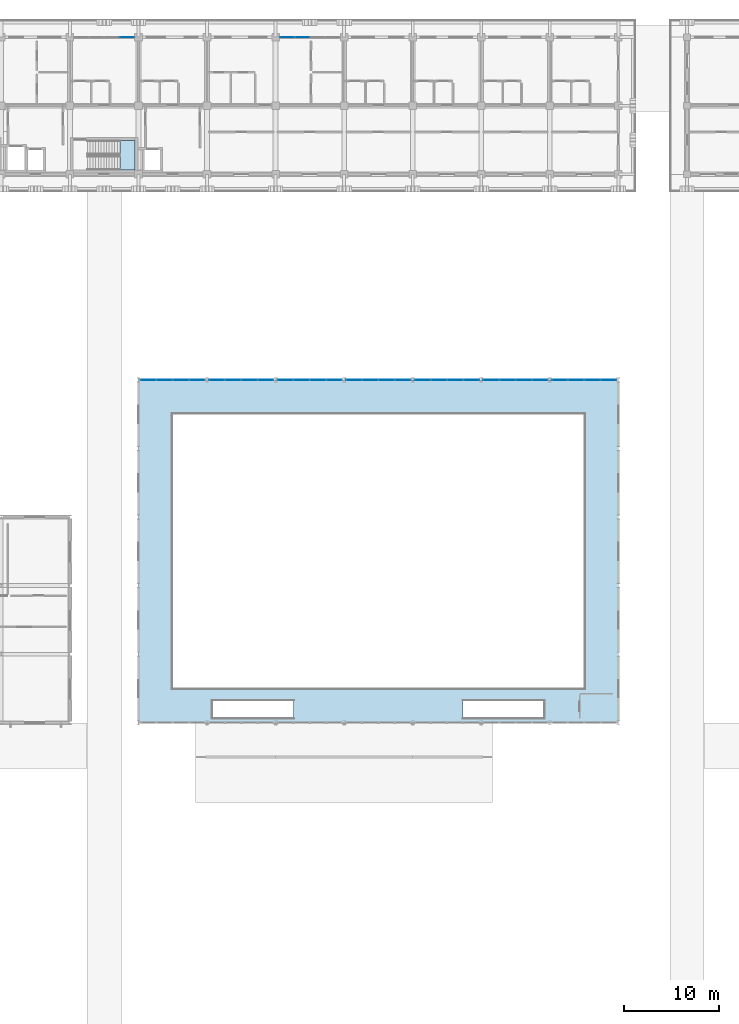
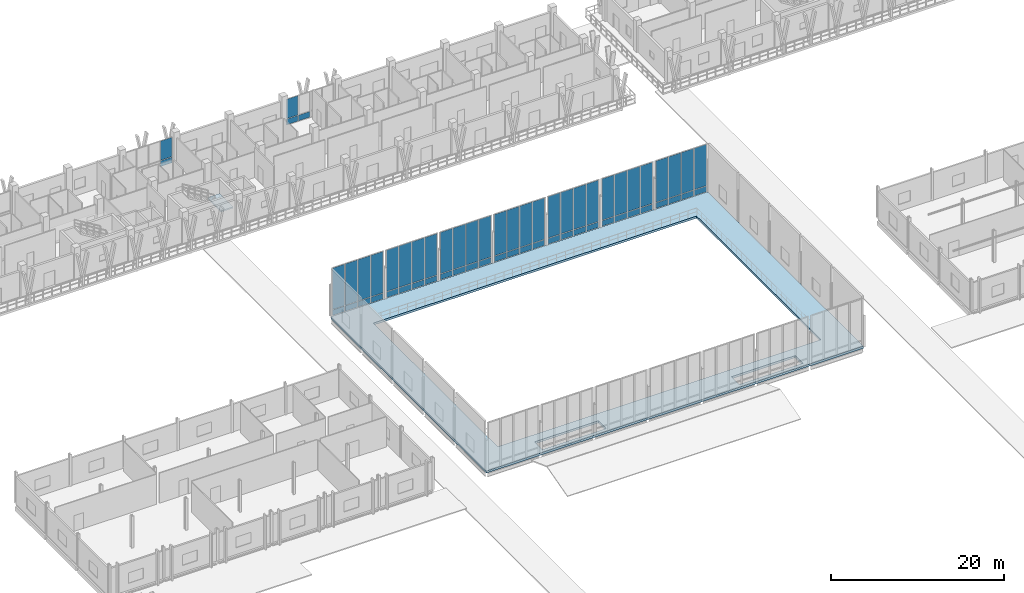
# One storey, part 59 of 110: 61 plates, 2 slabs, 10 elements without a shape of their own.
"""IFC4 building model written with IfcOpenShell, lengths in metres."""

from ifc_helpers import new_model, si_unit, direction, frame, origin, origin_2d, place, context, subcontext, project, spatial, polyline, rectangle, outline, extrude, material, layer, layer_set, type_object, element, aggregate, save


model = new_model("IFC4")

# Units and contexts
model_context = context("Model", 3, precision=1e-05, world=origin(), true_north=direction((0.0, 1.0)))
body_context = subcontext(model_context, "Body", "Model", "MODEL_VIEW")
ifc_project = project(units=[si_unit("LENGTHUNIT", "METRE"), si_unit("AREAUNIT", "SQUARE_METRE"), si_unit("VOLUMEUNIT", "CUBIC_METRE"), si_unit("PLANEANGLEUNIT", "RADIAN"), si_unit("MASSUNIT", "GRAM", prefix="KILO")], contexts=[model_context])

# Site, building, storey
site_placement = place(None, origin())
site = spatial("IfcSite", under=ifc_project, at=site_placement, CompositionType="ELEMENT")
building_placement = place(site_placement, origin())
building = spatial("IfcBuilding", under=site, at=building_placement, Name="Suanplinth Sawtooth Commons", CompositionType="ELEMENT")
storey_placement = place(building_placement, frame((0.0, 0.0, 4.5)))
storey = spatial("IfcBuildingStorey", under=building, at=storey_placement, Name="L01", CompositionType="ELEMENT", Elevation=4.5)

# Curtain wall, plates
ifc_material_1 = material(Name="Anodized aluminium and low-E glazing", Category="aluminium")
curtain_wall_type_1 = type_object("IfcCurtainWallType", Name="CW-01", PredefinedType="USERDEFINED", material=ifc_material_1)
curtain_wall_1_placement = place(storey_placement, origin())
curtain_wall_1 = element("IfcCurtainWall", 1, at=curtain_wall_1_placement, inside=storey, type_object=curtain_wall_type_1, Name="Curtain Wall CW-L01-HALL-N-1", ObjectType="CURTAIN WALL", PredefinedType="USERDEFINED")
ifc_material_2 = material(Name="Tempered low-E double glazing", Category="glass")
ifc_layer_1 = layer(ifc_material_2, 0.028076171875, Name="Vision low-E insulated glazing unit 28mm")
ifc_layer_set_1 = layer_set([ifc_layer_1], Name="Tempered low-E double glazing")
plate_type_1 = type_object("IfcPlateType", Name="PL-05", PredefinedType="CURTAIN_PANEL", material=ifc_layer_set_1)
plate_1_placement = place(storey_placement, frame((73.03125, 86.39990234375, 0.074951171875), z_axis=(0.0, 0.0, 1.0), x_axis=(1.0, 0.0, 0.0)))
plate_1 = element("IfcPlate", 2, at=plate_1_placement, type_object=plate_type_1, Name="CW-01 panel 1.1", PredefinedType="CURTAIN_PANEL", context=body_context, shape_type="SweptSolid", body=[
    extrude(rectangle(XDim=1.612548828125, YDim=0.028076171875, at=origin_2d()), origin(), (0.0, 0.0, 1.0), 0.78759765625),
])
plate_2_placement = place(storey_placement, frame((73.03125, 86.39990234375, 0.9375), z_axis=(0.0, 0.0, 1.0), x_axis=(1.0, 0.0, 0.0)))
plate_2 = element("IfcPlate", 3, at=plate_2_placement, type_object=plate_type_1, Name="CW-01 panel 1.2", PredefinedType="CURTAIN_PANEL", context=body_context, shape_type="SweptSolid", body=[
    extrude(rectangle(XDim=1.612548828125, YDim=0.028076171875, at=origin_2d()), origin(), (0.0, 0.0, 1.0), 5.83740234375),
])
plate_3_placement = place(storey_placement, frame((74.737548828125, 86.39990234375, 0.074951171875), z_axis=(0.0, 0.0, 1.0), x_axis=(1.0, 0.0, 0.0)))
plate_3 = element("IfcPlate", 4, at=plate_3_placement, type_object=plate_type_1, Name="CW-01 panel 2.1", PredefinedType="CURTAIN_PANEL", context=body_context, shape_type="SweptSolid", body=[
    extrude(rectangle(XDim=1.64990234375, YDim=0.028076171875, at=origin_2d()), origin(), (0.0, 0.0, 1.0), 0.78759765625),
])
plate_4_placement = place(storey_placement, frame((74.737548828125, 86.39990234375, 0.9375), z_axis=(0.0, 0.0, 1.0), x_axis=(1.0, 0.0, 0.0)))
plate_4 = element("IfcPlate", 5, at=plate_4_placement, type_object=plate_type_1, Name="CW-01 panel 2.2", PredefinedType="CURTAIN_PANEL", context=body_context, shape_type="SweptSolid", body=[
    extrude(rectangle(XDim=1.64990234375, YDim=0.028076171875, at=origin_2d()), origin(), (0.0, 0.0, 1.0), 5.83740234375),
])
plate_5_placement = place(storey_placement, frame((76.46240234375, 86.39990234375, 0.074951171875), z_axis=(0.0, 0.0, 1.0), x_axis=(1.0, 0.0, 0.0)))
plate_5 = element("IfcPlate", 6, at=plate_5_placement, type_object=plate_type_1, Name="CW-01 panel 3.1", PredefinedType="CURTAIN_PANEL", context=body_context, shape_type="SweptSolid", body=[
    extrude(rectangle(XDim=1.64990234375, YDim=0.028076171875, at=origin_2d()), origin(), (0.0, 0.0, 1.0), 0.78759765625),
])
plate_6_placement = place(storey_placement, frame((76.46240234375, 86.39990234375, 0.9375), z_axis=(0.0, 0.0, 1.0), x_axis=(1.0, 0.0, 0.0)))
plate_6 = element("IfcPlate", 7, at=plate_6_placement, type_object=plate_type_1, Name="CW-01 panel 3.2", PredefinedType="CURTAIN_PANEL", context=body_context, shape_type="SweptSolid", body=[
    extrude(rectangle(XDim=1.64990234375, YDim=0.028076171875, at=origin_2d()), origin(), (0.0, 0.0, 1.0), 5.83740234375),
])
plate_7_placement = place(storey_placement, frame((78.168701171875, 86.39990234375, 0.074951171875), z_axis=(0.0, 0.0, 1.0), x_axis=(1.0, 0.0, 0.0)))
plate_7 = element("IfcPlate", 8, at=plate_7_placement, type_object=plate_type_1, Name="CW-01 panel 4.1", PredefinedType="CURTAIN_PANEL", context=body_context, shape_type="SweptSolid", body=[
    extrude(rectangle(XDim=1.612548828125, YDim=0.028076171875, at=origin_2d()), origin(), (0.0, 0.0, 1.0), 0.78759765625),
])
plate_8_placement = place(storey_placement, frame((78.168701171875, 86.39990234375, 0.9375), z_axis=(0.0, 0.0, 1.0), x_axis=(1.0, 0.0, 0.0)))
plate_8 = element("IfcPlate", 9, at=plate_8_placement, type_object=plate_type_1, Name="CW-01 panel 4.2", PredefinedType="CURTAIN_PANEL", context=body_context, shape_type="SweptSolid", body=[
    extrude(rectangle(XDim=1.612548828125, YDim=0.028076171875, at=origin_2d()), origin(), (0.0, 0.0, 1.0), 5.83740234375),
])
aggregate(curtain_wall_1, [plate_1, plate_2, plate_3, plate_4, plate_5, plate_6, plate_7, plate_8])

curtain_wall_2_placement = place(storey_placement, origin())
curtain_wall_2 = element("IfcCurtainWall", 10, at=curtain_wall_2_placement, inside=storey, type_object=curtain_wall_type_1, Name="Curtain Wall CW-L01-HALL-N-2", ObjectType="CURTAIN WALL", PredefinedType="USERDEFINED")
plate_9_placement = place(storey_placement, frame((80.231201171875, 86.39990234375, 0.074951171875), z_axis=(0.0, 0.0, 1.0), x_axis=(1.0, 0.0, 0.0)))
plate_9 = element("IfcPlate", 11, at=plate_9_placement, type_object=plate_type_1, Name="CW-01 panel 1.1", PredefinedType="CURTAIN_PANEL", context=body_context, shape_type="SweptSolid", body=[
    extrude(rectangle(XDim=1.612548828125, YDim=0.028076171875, at=origin_2d()), origin(), (0.0, 0.0, 1.0), 0.78759765625),
])
plate_10_placement = place(storey_placement, frame((80.231201171875, 86.39990234375, 0.9375), z_axis=(0.0, 0.0, 1.0), x_axis=(1.0, 0.0, 0.0)))
plate_10 = element("IfcPlate", 12, at=plate_10_placement, type_object=plate_type_1, Name="CW-01 panel 1.2", PredefinedType="CURTAIN_PANEL", context=body_context, shape_type="SweptSolid", body=[
    extrude(rectangle(XDim=1.612548828125, YDim=0.028076171875, at=origin_2d()), origin(), (0.0, 0.0, 1.0), 5.83740234375),
])
plate_11_placement = place(storey_placement, frame((81.9375, 86.39990234375, 0.074951171875), z_axis=(0.0, 0.0, 1.0), x_axis=(1.0, 0.0, 0.0)))
plate_11 = element("IfcPlate", 13, at=plate_11_placement, type_object=plate_type_1, Name="CW-01 panel 2.1", PredefinedType="CURTAIN_PANEL", context=body_context, shape_type="SweptSolid", body=[
    extrude(rectangle(XDim=1.64990234375, YDim=0.028076171875, at=origin_2d()), origin(), (0.0, 0.0, 1.0), 0.78759765625),
])
plate_12_placement = place(storey_placement, frame((81.9375, 86.39990234375, 0.9375), z_axis=(0.0, 0.0, 1.0), x_axis=(1.0, 0.0, 0.0)))
plate_12 = element("IfcPlate", 14, at=plate_12_placement, type_object=plate_type_1, Name="CW-01 panel 2.2", PredefinedType="CURTAIN_PANEL", context=body_context, shape_type="SweptSolid", body=[
    extrude(rectangle(XDim=1.64990234375, YDim=0.028076171875, at=origin_2d()), origin(), (0.0, 0.0, 1.0), 5.83740234375),
])
plate_13_placement = place(storey_placement, frame((83.66259765625, 86.39990234375, 0.074951171875), z_axis=(0.0, 0.0, 1.0), x_axis=(1.0, 0.0, 0.0)))
plate_13 = element("IfcPlate", 15, at=plate_13_placement, type_object=plate_type_1, Name="CW-01 panel 3.1", PredefinedType="CURTAIN_PANEL", context=body_context, shape_type="SweptSolid", body=[
    extrude(rectangle(XDim=1.64990234375, YDim=0.028076171875, at=origin_2d()), origin(), (0.0, 0.0, 1.0), 0.78759765625),
])
plate_14_placement = place(storey_placement, frame((83.66259765625, 86.39990234375, 0.9375), z_axis=(0.0, 0.0, 1.0), x_axis=(1.0, 0.0, 0.0)))
plate_14 = element("IfcPlate", 16, at=plate_14_placement, type_object=plate_type_1, Name="CW-01 panel 3.2", PredefinedType="CURTAIN_PANEL", context=body_context, shape_type="SweptSolid", body=[
    extrude(rectangle(XDim=1.64990234375, YDim=0.028076171875, at=origin_2d()), origin(), (0.0, 0.0, 1.0), 5.83740234375),
])
plate_15_placement = place(storey_placement, frame((85.36865234375, 86.39990234375, 0.074951171875), z_axis=(0.0, 0.0, 1.0), x_axis=(1.0, 0.0, 0.0)))
plate_15 = element("IfcPlate", 17, at=plate_15_placement, type_object=plate_type_1, Name="CW-01 panel 4.1", PredefinedType="CURTAIN_PANEL", context=body_context, shape_type="SweptSolid", body=[
    extrude(rectangle(XDim=1.612548828125, YDim=0.028076171875, at=origin_2d()), origin(), (0.0, 0.0, 1.0), 0.78759765625),
])
plate_16_placement = place(storey_placement, frame((85.36865234375, 86.39990234375, 0.9375), z_axis=(0.0, 0.0, 1.0), x_axis=(1.0, 0.0, 0.0)))
plate_16 = element("IfcPlate", 18, at=plate_16_placement, type_object=plate_type_1, Name="CW-01 panel 4.2", PredefinedType="CURTAIN_PANEL", context=body_context, shape_type="SweptSolid", body=[
    extrude(rectangle(XDim=1.612548828125, YDim=0.028076171875, at=origin_2d()), origin(), (0.0, 0.0, 1.0), 5.83740234375),
])
aggregate(curtain_wall_2, [plate_9, plate_10, plate_11, plate_12, plate_13, plate_14, plate_15, plate_16])

curtain_wall_3_placement = place(storey_placement, origin())
curtain_wall_3 = element("IfcCurtainWall", 19, at=curtain_wall_3_placement, inside=storey, type_object=curtain_wall_type_1, Name="Curtain Wall CW-L01-HALL-N-3", ObjectType="CURTAIN WALL", PredefinedType="USERDEFINED")
plate_17_placement = place(storey_placement, frame((87.43115234375, 86.39990234375, 0.074951171875), z_axis=(0.0, 0.0, 1.0), x_axis=(1.0, 0.0, 0.0)))
plate_17 = element("IfcPlate", 20, at=plate_17_placement, type_object=plate_type_1, Name="CW-01 panel 1.1", PredefinedType="CURTAIN_PANEL", context=body_context, shape_type="SweptSolid", body=[
    extrude(rectangle(XDim=1.612548828125, YDim=0.028076171875, at=origin_2d()), origin(), (0.0, 0.0, 1.0), 0.78759765625),
])
plate_18_placement = place(storey_placement, frame((87.43115234375, 86.39990234375, 0.9375), z_axis=(0.0, 0.0, 1.0), x_axis=(1.0, 0.0, 0.0)))
plate_18 = element("IfcPlate", 21, at=plate_18_placement, type_object=plate_type_1, Name="CW-01 panel 1.2", PredefinedType="CURTAIN_PANEL", context=body_context, shape_type="SweptSolid", body=[
    extrude(rectangle(XDim=1.612548828125, YDim=0.028076171875, at=origin_2d()), origin(), (0.0, 0.0, 1.0), 5.83740234375),
])
plate_19_placement = place(storey_placement, frame((89.137451171875, 86.39990234375, 0.074951171875), z_axis=(0.0, 0.0, 1.0), x_axis=(1.0, 0.0, 0.0)))
plate_19 = element("IfcPlate", 22, at=plate_19_placement, type_object=plate_type_1, Name="CW-01 panel 2.1", PredefinedType="CURTAIN_PANEL", context=body_context, shape_type="SweptSolid", body=[
    extrude(rectangle(XDim=1.64990234375, YDim=0.028076171875, at=origin_2d()), origin(), (0.0, 0.0, 1.0), 0.78759765625),
])
plate_20_placement = place(storey_placement, frame((89.137451171875, 86.39990234375, 0.9375), z_axis=(0.0, 0.0, 1.0), x_axis=(1.0, 0.0, 0.0)))
plate_20 = element("IfcPlate", 23, at=plate_20_placement, type_object=plate_type_1, Name="CW-01 panel 2.2", PredefinedType="CURTAIN_PANEL", context=body_context, shape_type="SweptSolid", body=[
    extrude(rectangle(XDim=1.64990234375, YDim=0.028076171875, at=origin_2d()), origin(), (0.0, 0.0, 1.0), 5.83740234375),
])
plate_21_placement = place(storey_placement, frame((90.862548828125, 86.39990234375, 0.074951171875), z_axis=(0.0, 0.0, 1.0), x_axis=(1.0, 0.0, 0.0)))
plate_21 = element("IfcPlate", 24, at=plate_21_placement, type_object=plate_type_1, Name="CW-01 panel 3.1", PredefinedType="CURTAIN_PANEL", context=body_context, shape_type="SweptSolid", body=[
    extrude(rectangle(XDim=1.64990234375, YDim=0.028076171875, at=origin_2d()), origin(), (0.0, 0.0, 1.0), 0.78759765625),
])
plate_22_placement = place(storey_placement, frame((90.862548828125, 86.39990234375, 0.9375), z_axis=(0.0, 0.0, 1.0), x_axis=(1.0, 0.0, 0.0)))
plate_22 = element("IfcPlate", 25, at=plate_22_placement, type_object=plate_type_1, Name="CW-01 panel 3.2", PredefinedType="CURTAIN_PANEL", context=body_context, shape_type="SweptSolid", body=[
    extrude(rectangle(XDim=1.64990234375, YDim=0.028076171875, at=origin_2d()), origin(), (0.0, 0.0, 1.0), 5.83740234375),
])
plate_23_placement = place(storey_placement, frame((92.56884765625, 86.39990234375, 0.074951171875), z_axis=(0.0, 0.0, 1.0), x_axis=(1.0, 0.0, 0.0)))
plate_23 = element("IfcPlate", 26, at=plate_23_placement, type_object=plate_type_1, Name="CW-01 panel 4.1", PredefinedType="CURTAIN_PANEL", context=body_context, shape_type="SweptSolid", body=[
    extrude(rectangle(XDim=1.612548828125, YDim=0.028076171875, at=origin_2d()), origin(), (0.0, 0.0, 1.0), 0.78759765625),
])
plate_24_placement = place(storey_placement, frame((92.56884765625, 86.39990234375, 0.9375), z_axis=(0.0, 0.0, 1.0), x_axis=(1.0, 0.0, 0.0)))
plate_24 = element("IfcPlate", 27, at=plate_24_placement, type_object=plate_type_1, Name="CW-01 panel 4.2", PredefinedType="CURTAIN_PANEL", context=body_context, shape_type="SweptSolid", body=[
    extrude(rectangle(XDim=1.612548828125, YDim=0.028076171875, at=origin_2d()), origin(), (0.0, 0.0, 1.0), 5.83740234375),
])
aggregate(curtain_wall_3, [plate_17, plate_18, plate_19, plate_20, plate_21, plate_22, plate_23, plate_24])

curtain_wall_4_placement = place(storey_placement, origin())
curtain_wall_4 = element("IfcCurtainWall", 28, at=curtain_wall_4_placement, inside=storey, type_object=curtain_wall_type_1, Name="Curtain Wall CW-L01-HALL-N-4", ObjectType="CURTAIN WALL", PredefinedType="USERDEFINED")
plate_25_placement = place(storey_placement, frame((94.63134765625, 86.39990234375, 0.074951171875), z_axis=(0.0, 0.0, 1.0), x_axis=(1.0, 0.0, 0.0)))
plate_25 = element("IfcPlate", 29, at=plate_25_placement, type_object=plate_type_1, Name="CW-01 panel 1.1", PredefinedType="CURTAIN_PANEL", context=body_context, shape_type="SweptSolid", body=[
    extrude(rectangle(XDim=1.612548828125, YDim=0.028076171875, at=origin_2d()), origin(), (0.0, 0.0, 1.0), 0.78759765625),
])
plate_26_placement = place(storey_placement, frame((94.63134765625, 86.39990234375, 0.9375), z_axis=(0.0, 0.0, 1.0), x_axis=(1.0, 0.0, 0.0)))
plate_26 = element("IfcPlate", 30, at=plate_26_placement, type_object=plate_type_1, Name="CW-01 panel 1.2", PredefinedType="CURTAIN_PANEL", context=body_context, shape_type="SweptSolid", body=[
    extrude(rectangle(XDim=1.612548828125, YDim=0.028076171875, at=origin_2d()), origin(), (0.0, 0.0, 1.0), 5.83740234375),
])
plate_27_placement = place(storey_placement, frame((96.33740234375, 86.39990234375, 0.074951171875), z_axis=(0.0, 0.0, 1.0), x_axis=(1.0, 0.0, 0.0)))
plate_27 = element("IfcPlate", 31, at=plate_27_placement, type_object=plate_type_1, Name="CW-01 panel 2.1", PredefinedType="CURTAIN_PANEL", context=body_context, shape_type="SweptSolid", body=[
    extrude(rectangle(XDim=1.64990234375, YDim=0.028076171875, at=origin_2d()), origin(), (0.0, 0.0, 1.0), 0.78759765625),
])
plate_28_placement = place(storey_placement, frame((96.33740234375, 86.39990234375, 0.9375), z_axis=(0.0, 0.0, 1.0), x_axis=(1.0, 0.0, 0.0)))
plate_28 = element("IfcPlate", 32, at=plate_28_placement, type_object=plate_type_1, Name="CW-01 panel 2.2", PredefinedType="CURTAIN_PANEL", context=body_context, shape_type="SweptSolid", body=[
    extrude(rectangle(XDim=1.64990234375, YDim=0.028076171875, at=origin_2d()), origin(), (0.0, 0.0, 1.0), 5.83740234375),
])
plate_29_placement = place(storey_placement, frame((98.0625, 86.39990234375, 0.074951171875), z_axis=(0.0, 0.0, 1.0), x_axis=(1.0, 0.0, 0.0)))
plate_29 = element("IfcPlate", 33, at=plate_29_placement, type_object=plate_type_1, Name="CW-01 panel 3.1", PredefinedType="CURTAIN_PANEL", context=body_context, shape_type="SweptSolid", body=[
    extrude(rectangle(XDim=1.64990234375, YDim=0.028076171875, at=origin_2d()), origin(), (0.0, 0.0, 1.0), 0.78759765625),
])
plate_30_placement = place(storey_placement, frame((98.0625, 86.39990234375, 0.9375), z_axis=(0.0, 0.0, 1.0), x_axis=(1.0, 0.0, 0.0)))
plate_30 = element("IfcPlate", 34, at=plate_30_placement, type_object=plate_type_1, Name="CW-01 panel 3.2", PredefinedType="CURTAIN_PANEL", context=body_context, shape_type="SweptSolid", body=[
    extrude(rectangle(XDim=1.64990234375, YDim=0.028076171875, at=origin_2d()), origin(), (0.0, 0.0, 1.0), 5.83740234375),
])
plate_31_placement = place(storey_placement, frame((99.768798828125, 86.39990234375, 0.074951171875), z_axis=(0.0, 0.0, 1.0), x_axis=(1.0, 0.0, 0.0)))
plate_31 = element("IfcPlate", 35, at=plate_31_placement, type_object=plate_type_1, Name="CW-01 panel 4.1", PredefinedType="CURTAIN_PANEL", context=body_context, shape_type="SweptSolid", body=[
    extrude(rectangle(XDim=1.612548828125, YDim=0.028076171875, at=origin_2d()), origin(), (0.0, 0.0, 1.0), 0.78759765625),
])
plate_32_placement = place(storey_placement, frame((99.768798828125, 86.39990234375, 0.9375), z_axis=(0.0, 0.0, 1.0), x_axis=(1.0, 0.0, 0.0)))
plate_32 = element("IfcPlate", 36, at=plate_32_placement, type_object=plate_type_1, Name="CW-01 panel 4.2", PredefinedType="CURTAIN_PANEL", context=body_context, shape_type="SweptSolid", body=[
    extrude(rectangle(XDim=1.612548828125, YDim=0.028076171875, at=origin_2d()), origin(), (0.0, 0.0, 1.0), 5.83740234375),
])
aggregate(curtain_wall_4, [plate_25, plate_26, plate_27, plate_28, plate_29, plate_30, plate_31, plate_32])

curtain_wall_5_placement = place(storey_placement, origin())
curtain_wall_5 = element("IfcCurtainWall", 37, at=curtain_wall_5_placement, inside=storey, type_object=curtain_wall_type_1, Name="Curtain Wall CW-L01-HALL-N-5", ObjectType="CURTAIN WALL", PredefinedType="USERDEFINED")
plate_33_placement = place(storey_placement, frame((101.831298828125, 86.39990234375, 0.074951171875), z_axis=(0.0, 0.0, 1.0), x_axis=(1.0, 0.0, 0.0)))
plate_33 = element("IfcPlate", 38, at=plate_33_placement, type_object=plate_type_1, Name="CW-01 panel 1.1", PredefinedType="CURTAIN_PANEL", context=body_context, shape_type="SweptSolid", body=[
    extrude(rectangle(XDim=1.612548828125, YDim=0.028076171875, at=origin_2d()), origin(), (0.0, 0.0, 1.0), 0.78759765625),
])
plate_34_placement = place(storey_placement, frame((101.831298828125, 86.39990234375, 0.9375), z_axis=(0.0, 0.0, 1.0), x_axis=(1.0, 0.0, 0.0)))
plate_34 = element("IfcPlate", 39, at=plate_34_placement, type_object=plate_type_1, Name="CW-01 panel 1.2", PredefinedType="CURTAIN_PANEL", context=body_context, shape_type="SweptSolid", body=[
    extrude(rectangle(XDim=1.612548828125, YDim=0.028076171875, at=origin_2d()), origin(), (0.0, 0.0, 1.0), 5.83740234375),
])
plate_35_placement = place(storey_placement, frame((103.53759765625, 86.39990234375, 0.074951171875), z_axis=(0.0, 0.0, 1.0), x_axis=(1.0, 0.0, 0.0)))
plate_35 = element("IfcPlate", 40, at=plate_35_placement, type_object=plate_type_1, Name="CW-01 panel 2.1", PredefinedType="CURTAIN_PANEL", context=body_context, shape_type="SweptSolid", body=[
    extrude(rectangle(XDim=1.64990234375, YDim=0.028076171875, at=origin_2d()), origin(), (0.0, 0.0, 1.0), 0.78759765625),
])
plate_36_placement = place(storey_placement, frame((103.53759765625, 86.39990234375, 0.9375), z_axis=(0.0, 0.0, 1.0), x_axis=(1.0, 0.0, 0.0)))
plate_36 = element("IfcPlate", 41, at=plate_36_placement, type_object=plate_type_1, Name="CW-01 panel 2.2", PredefinedType="CURTAIN_PANEL", context=body_context, shape_type="SweptSolid", body=[
    extrude(rectangle(XDim=1.64990234375, YDim=0.028076171875, at=origin_2d()), origin(), (0.0, 0.0, 1.0), 5.83740234375),
])
plate_37_placement = place(storey_placement, frame((105.262451171875, 86.39990234375, 0.074951171875), z_axis=(0.0, 0.0, 1.0), x_axis=(1.0, 0.0, 0.0)))
plate_37 = element("IfcPlate", 42, at=plate_37_placement, type_object=plate_type_1, Name="CW-01 panel 3.1", PredefinedType="CURTAIN_PANEL", context=body_context, shape_type="SweptSolid", body=[
    extrude(rectangle(XDim=1.64990234375, YDim=0.028076171875, at=origin_2d()), origin(), (0.0, 0.0, 1.0), 0.78759765625),
])
plate_38_placement = place(storey_placement, frame((105.262451171875, 86.39990234375, 0.9375), z_axis=(0.0, 0.0, 1.0), x_axis=(1.0, 0.0, 0.0)))
plate_38 = element("IfcPlate", 43, at=plate_38_placement, type_object=plate_type_1, Name="CW-01 panel 3.2", PredefinedType="CURTAIN_PANEL", context=body_context, shape_type="SweptSolid", body=[
    extrude(rectangle(XDim=1.64990234375, YDim=0.028076171875, at=origin_2d()), origin(), (0.0, 0.0, 1.0), 5.83740234375),
])
plate_39_placement = place(storey_placement, frame((106.96875, 86.39990234375, 0.074951171875), z_axis=(0.0, 0.0, 1.0), x_axis=(1.0, 0.0, 0.0)))
plate_39 = element("IfcPlate", 44, at=plate_39_placement, type_object=plate_type_1, Name="CW-01 panel 4.1", PredefinedType="CURTAIN_PANEL", context=body_context, shape_type="SweptSolid", body=[
    extrude(rectangle(XDim=1.612548828125, YDim=0.028076171875, at=origin_2d()), origin(), (0.0, 0.0, 1.0), 0.78759765625),
])
plate_40_placement = place(storey_placement, frame((106.96875, 86.39990234375, 0.9375), z_axis=(0.0, 0.0, 1.0), x_axis=(1.0, 0.0, 0.0)))
plate_40 = element("IfcPlate", 45, at=plate_40_placement, type_object=plate_type_1, Name="CW-01 panel 4.2", PredefinedType="CURTAIN_PANEL", context=body_context, shape_type="SweptSolid", body=[
    extrude(rectangle(XDim=1.612548828125, YDim=0.028076171875, at=origin_2d()), origin(), (0.0, 0.0, 1.0), 5.83740234375),
])
aggregate(curtain_wall_5, [plate_33, plate_34, plate_35, plate_36, plate_37, plate_38, plate_39, plate_40])

curtain_wall_6_placement = place(storey_placement, origin())
curtain_wall_6 = element("IfcCurtainWall", 46, at=curtain_wall_6_placement, inside=storey, type_object=curtain_wall_type_1, Name="Curtain Wall CW-L01-HALL-N-6", ObjectType="CURTAIN WALL", PredefinedType="USERDEFINED")
plate_41_placement = place(storey_placement, frame((109.03125, 86.39990234375, 0.074951171875), z_axis=(0.0, 0.0, 1.0), x_axis=(1.0, 0.0, 0.0)))
plate_41 = element("IfcPlate", 47, at=plate_41_placement, type_object=plate_type_1, Name="CW-01 panel 1.1", PredefinedType="CURTAIN_PANEL", context=body_context, shape_type="SweptSolid", body=[
    extrude(rectangle(XDim=1.612548828125, YDim=0.028076171875, at=origin_2d()), origin(), (0.0, 0.0, 1.0), 0.78759765625),
])
plate_42_placement = place(storey_placement, frame((109.03125, 86.39990234375, 0.9375), z_axis=(0.0, 0.0, 1.0), x_axis=(1.0, 0.0, 0.0)))
plate_42 = element("IfcPlate", 48, at=plate_42_placement, type_object=plate_type_1, Name="CW-01 panel 1.2", PredefinedType="CURTAIN_PANEL", context=body_context, shape_type="SweptSolid", body=[
    extrude(rectangle(XDim=1.612548828125, YDim=0.028076171875, at=origin_2d()), origin(), (0.0, 0.0, 1.0), 5.83740234375),
])
plate_43_placement = place(storey_placement, frame((110.737548828125, 86.39990234375, 0.074951171875), z_axis=(0.0, 0.0, 1.0), x_axis=(1.0, 0.0, 0.0)))
plate_43 = element("IfcPlate", 49, at=plate_43_placement, type_object=plate_type_1, Name="CW-01 panel 2.1", PredefinedType="CURTAIN_PANEL", context=body_context, shape_type="SweptSolid", body=[
    extrude(rectangle(XDim=1.64990234375, YDim=0.028076171875, at=origin_2d()), origin(), (0.0, 0.0, 1.0), 0.78759765625),
])
plate_44_placement = place(storey_placement, frame((110.737548828125, 86.39990234375, 0.9375), z_axis=(0.0, 0.0, 1.0), x_axis=(1.0, 0.0, 0.0)))
plate_44 = element("IfcPlate", 50, at=plate_44_placement, type_object=plate_type_1, Name="CW-01 panel 2.2", PredefinedType="CURTAIN_PANEL", context=body_context, shape_type="SweptSolid", body=[
    extrude(rectangle(XDim=1.64990234375, YDim=0.028076171875, at=origin_2d()), origin(), (0.0, 0.0, 1.0), 5.83740234375),
])
plate_45_placement = place(storey_placement, frame((112.46240234375, 86.39990234375, 0.074951171875), z_axis=(0.0, 0.0, 1.0), x_axis=(1.0, 0.0, 0.0)))
plate_45 = element("IfcPlate", 51, at=plate_45_placement, type_object=plate_type_1, Name="CW-01 panel 3.1", PredefinedType="CURTAIN_PANEL", context=body_context, shape_type="SweptSolid", body=[
    extrude(rectangle(XDim=1.64990234375, YDim=0.028076171875, at=origin_2d()), origin(), (0.0, 0.0, 1.0), 0.78759765625),
])
plate_46_placement = place(storey_placement, frame((112.46240234375, 86.39990234375, 0.9375), z_axis=(0.0, 0.0, 1.0), x_axis=(1.0, 0.0, 0.0)))
plate_46 = element("IfcPlate", 52, at=plate_46_placement, type_object=plate_type_1, Name="CW-01 panel 3.2", PredefinedType="CURTAIN_PANEL", context=body_context, shape_type="SweptSolid", body=[
    extrude(rectangle(XDim=1.64990234375, YDim=0.028076171875, at=origin_2d()), origin(), (0.0, 0.0, 1.0), 5.83740234375),
])
plate_47_placement = place(storey_placement, frame((114.168701171875, 86.39990234375, 0.074951171875), z_axis=(0.0, 0.0, 1.0), x_axis=(1.0, 0.0, 0.0)))
plate_47 = element("IfcPlate", 53, at=plate_47_placement, type_object=plate_type_1, Name="CW-01 panel 4.1", PredefinedType="CURTAIN_PANEL", context=body_context, shape_type="SweptSolid", body=[
    extrude(rectangle(XDim=1.612548828125, YDim=0.028076171875, at=origin_2d()), origin(), (0.0, 0.0, 1.0), 0.78759765625),
])
plate_48_placement = place(storey_placement, frame((114.168701171875, 86.39990234375, 0.9375), z_axis=(0.0, 0.0, 1.0), x_axis=(1.0, 0.0, 0.0)))
plate_48 = element("IfcPlate", 54, at=plate_48_placement, type_object=plate_type_1, Name="CW-01 panel 4.2", PredefinedType="CURTAIN_PANEL", context=body_context, shape_type="SweptSolid", body=[
    extrude(rectangle(XDim=1.612548828125, YDim=0.028076171875, at=origin_2d()), origin(), (0.0, 0.0, 1.0), 5.83740234375),
])
aggregate(curtain_wall_6, [plate_41, plate_42, plate_43, plate_44, plate_45, plate_46, plate_47, plate_48])

curtain_wall_type_2 = type_object("IfcCurtainWallType", Name="CW-06", PredefinedType="USERDEFINED", material=ifc_material_1)
curtain_wall_7_placement = place(storey_placement, origin())
curtain_wall_7 = element("IfcCurtainWall", 55, at=curtain_wall_7_placement, inside=storey, type_object=curtain_wall_type_2, Name="Curtain Wall CW-L01-A-LOUNGE-8", ObjectType="CURTAIN WALL", PredefinedType="USERDEFINED")
plate_49_placement = place(storey_placement, frame((63.583740234375, 122.39990234375, 0.06494140625), z_axis=(0.0, 0.0, 1.0), x_axis=(1.0, 0.0, 0.0)))
plate_49 = element("IfcPlate", 56, at=plate_49_placement, type_object=plate_type_1, Name="CW-06 panel 4.1", PredefinedType="CURTAIN_PANEL", context=body_context, shape_type="SweptSolid", body=[
    extrude(rectangle(XDim=1.50244140625, YDim=0.028076171875, at=origin_2d()), origin(), (0.0, 0.0, 1.0), 0.802490234375),
])
plate_50_placement = place(storey_placement, frame((63.583740234375, 122.39990234375, 0.9326171875), z_axis=(0.0, 0.0, 1.0), x_axis=(1.0, 0.0, 0.0)))
plate_50 = element("IfcPlate", 57, at=plate_50_placement, type_object=plate_type_1, Name="CW-06 panel 4.2", PredefinedType="CURTAIN_PANEL", context=body_context, shape_type="SweptSolid", body=[
    extrude(rectangle(XDim=1.50244140625, YDim=0.028076171875, at=origin_2d()), origin(), (0.0, 0.0, 1.0), 2.732421875),
])
aggregate(curtain_wall_7, [plate_49, plate_50])

curtain_wall_8_placement = place(storey_placement, origin())
curtain_wall_8 = element("IfcCurtainWall", 58, at=curtain_wall_8_placement, inside=storey, type_object=curtain_wall_type_2, Name="Curtain Wall CW-L01-A-LOUNGE-11", ObjectType="CURTAIN WALL", PredefinedType="USERDEFINED")
plate_51_placement = place(storey_placement, frame((80.416259765625, 122.39990234375, 0.06494140625), z_axis=(0.0, 0.0, 1.0), x_axis=(1.0, 0.0, 0.0)))
plate_51 = element("IfcPlate", 59, at=plate_51_placement, type_object=plate_type_1, Name="CW-06 panel 1.1", PredefinedType="CURTAIN_PANEL", context=body_context, shape_type="SweptSolid", body=[
    extrude(rectangle(XDim=1.50244140625, YDim=0.028076171875, at=origin_2d()), origin(), (0.0, 0.0, 1.0), 0.802490234375),
])
plate_52_placement = place(storey_placement, frame((80.416259765625, 122.39990234375, 0.9326171875), z_axis=(0.0, 0.0, 1.0), x_axis=(1.0, 0.0, 0.0)))
plate_52 = element("IfcPlate", 60, at=plate_52_placement, type_object=plate_type_1, Name="CW-06 panel 1.2", PredefinedType="CURTAIN_PANEL", context=body_context, shape_type="SweptSolid", body=[
    extrude(rectangle(XDim=1.50244140625, YDim=0.028076171875, at=origin_2d()), origin(), (0.0, 0.0, 1.0), 2.732421875),
])
plate_53_placement = place(storey_placement, frame((82.0, 122.39990234375, 0.06494140625), z_axis=(0.0, 0.0, 1.0), x_axis=(1.0, 0.0, 0.0)))
plate_53 = element("IfcPlate", 61, at=plate_53_placement, type_object=plate_type_1, Name="CW-06 panel 2.1", PredefinedType="CURTAIN_PANEL", context=body_context, shape_type="SweptSolid", body=[
    extrude(rectangle(XDim=1.534912109375, YDim=0.028076171875, at=origin_2d()), origin(), (0.0, 0.0, 1.0), 0.802490234375),
])
aggregate(curtain_wall_8, [plate_51, plate_52, plate_53])

curtain_wall_9_placement = place(storey_placement, origin())
curtain_wall_9 = element("IfcCurtainWall", 62, at=curtain_wall_9_placement, inside=storey, type_object=curtain_wall_type_1, Name="Curtain Wall CW-L01-HALL-N-0", ObjectType="CURTAIN WALL", PredefinedType="USERDEFINED")
ifc_material_3 = material(Name="Insulated anodized aluminium spandrel panel", Category="aluminium")
ifc_layer_2 = layer(ifc_material_3, 0.0400390625, Name="Insulated shadow-box spandrel panel 40mm")
ifc_layer_set_2 = layer_set([ifc_layer_2], Name="Insulated anodized aluminium spandrel panel")
plate_type_2 = type_object("IfcPlateType", Name="PL-08", PredefinedType="CURTAIN_PANEL", material=ifc_layer_set_2)
plate_54_placement = place(storey_placement, frame((65.831298828125, 86.39990234375, 0.074951171875), z_axis=(0.0, 0.0, 1.0), x_axis=(1.0, 0.0, 0.0)))
plate_54 = element("IfcPlate", 63, at=plate_54_placement, type_object=plate_type_2, Name="CW-01 panel 1.1", PredefinedType="CURTAIN_PANEL", context=body_context, shape_type="SweptSolid", body=[
    extrude(rectangle(XDim=1.612548828125, YDim=0.0400390625, at=origin_2d()), origin(), (0.0, 0.0, 1.0), 0.78759765625),
])
plate_55_placement = place(storey_placement, frame((65.831298828125, 86.39990234375, 0.9375), z_axis=(0.0, 0.0, 1.0), x_axis=(1.0, 0.0, 0.0)))
plate_55 = element("IfcPlate", 64, at=plate_55_placement, type_object=plate_type_2, Name="CW-01 panel 1.2", PredefinedType="CURTAIN_PANEL", context=body_context, shape_type="SweptSolid", body=[
    extrude(rectangle(XDim=1.612548828125, YDim=0.0400390625, at=origin_2d()), origin(), (0.0, 0.0, 1.0), 5.83740234375),
])
plate_56_placement = place(storey_placement, frame((67.53759765625, 86.39990234375, 0.074951171875), z_axis=(0.0, 0.0, 1.0), x_axis=(1.0, 0.0, 0.0)))
plate_56 = element("IfcPlate", 65, at=plate_56_placement, type_object=plate_type_2, Name="CW-01 panel 2.1", PredefinedType="CURTAIN_PANEL", context=body_context, shape_type="SweptSolid", body=[
    extrude(rectangle(XDim=1.64990234375, YDim=0.0400390625, at=origin_2d()), origin(), (0.0, 0.0, 1.0), 0.78759765625),
])
plate_57_placement = place(storey_placement, frame((67.53759765625, 86.39990234375, 0.9375), z_axis=(0.0, 0.0, 1.0), x_axis=(1.0, 0.0, 0.0)))
plate_57 = element("IfcPlate", 66, at=plate_57_placement, type_object=plate_type_2, Name="CW-01 panel 2.2", PredefinedType="CURTAIN_PANEL", context=body_context, shape_type="SweptSolid", body=[
    extrude(rectangle(XDim=1.64990234375, YDim=0.0400390625, at=origin_2d()), origin(), (0.0, 0.0, 1.0), 5.83740234375),
])
plate_58_placement = place(storey_placement, frame((69.262451171875, 86.39990234375, 0.074951171875), z_axis=(0.0, 0.0, 1.0), x_axis=(1.0, 0.0, 0.0)))
plate_58 = element("IfcPlate", 67, at=plate_58_placement, type_object=plate_type_2, Name="CW-01 panel 3.1", PredefinedType="CURTAIN_PANEL", context=body_context, shape_type="SweptSolid", body=[
    extrude(rectangle(XDim=1.64990234375, YDim=0.0400390625, at=origin_2d()), origin(), (0.0, 0.0, 1.0), 0.78759765625),
])
plate_59_placement = place(storey_placement, frame((69.262451171875, 86.39990234375, 0.9375), z_axis=(0.0, 0.0, 1.0), x_axis=(1.0, 0.0, 0.0)))
plate_59 = element("IfcPlate", 68, at=plate_59_placement, type_object=plate_type_2, Name="CW-01 panel 3.2", PredefinedType="CURTAIN_PANEL", context=body_context, shape_type="SweptSolid", body=[
    extrude(rectangle(XDim=1.64990234375, YDim=0.0400390625, at=origin_2d()), origin(), (0.0, 0.0, 1.0), 5.83740234375),
])
plate_60_placement = place(storey_placement, frame((70.96875, 86.39990234375, 0.074951171875), z_axis=(0.0, 0.0, 1.0), x_axis=(1.0, 0.0, 0.0)))
plate_60 = element("IfcPlate", 69, at=plate_60_placement, type_object=plate_type_2, Name="CW-01 panel 4.1", PredefinedType="CURTAIN_PANEL", context=body_context, shape_type="SweptSolid", body=[
    extrude(rectangle(XDim=1.612548828125, YDim=0.0400390625, at=origin_2d()), origin(), (0.0, 0.0, 1.0), 0.78759765625),
])
plate_61_placement = place(storey_placement, frame((70.96875, 86.39990234375, 0.9375), z_axis=(0.0, 0.0, 1.0), x_axis=(1.0, 0.0, 0.0)))
plate_61 = element("IfcPlate", 70, at=plate_61_placement, type_object=plate_type_2, Name="CW-01 panel 4.2", PredefinedType="CURTAIN_PANEL", context=body_context, shape_type="SweptSolid", body=[
    extrude(rectangle(XDim=1.612548828125, YDim=0.0400390625, at=origin_2d()), origin(), (0.0, 0.0, 1.0), 5.83740234375),
])
aggregate(curtain_wall_9, [plate_54, plate_55, plate_56, plate_57, plate_58, plate_59, plate_60, plate_61])

# Stair, slab
ifc_material_4 = material(Name="Concrete C40/50", Category="concrete")
stair_type = type_object("IfcStairType", Name="ST-02", PredefinedType="USERDEFINED", material=ifc_material_4)
stair_placement = place(storey_placement, origin())
stair = element("IfcStair", 71, at=stair_placement, inside=storey, type_object=stair_type, Name="L01 Exit Stair ST-N2", ObjectType="TWO_RETURN_STAIR", PredefinedType="USERDEFINED")
ifc_layer_3 = layer(ifc_material_4, 0.199951171875, Name="Reinforced concrete stair and ramp landing slab 200mm")
ifc_layer_set_3 = layer_set([ifc_layer_3], Name="Concrete C40/50")
slab_type_1 = type_object("IfcSlabType", Name="S-LD01", PredefinedType="LANDING", material=ifc_layer_set_3)
slab_1_placement = place(storey_placement, frame((0.0, 0.0, 2.050048828125)))
slab_1 = element("IfcSlab", 72, at=slab_1_placement, type_object=slab_type_1, Name="ST-02 landing 1", PredefinedType="LANDING", context=body_context, shape_type="SweptSolid", body=[
    extrude(outline(polyline([(62.8701171875, 108.449951171875), (64.449951171875, 108.449951171875), (64.449951171875, 111.550048828125), (62.8701171875, 111.550048828125), (62.8701171875, 108.449951171875)])), origin(), (0.0, 0.0, 1.0), 0.199951171875),
])
aggregate(stair, [slab_1])

# Slab
ifc_layer_4 = layer(ifc_material_4, 0.300048828125, Name="Upper civic plinth RC floor slab 300mm")
ifc_layer_set_4 = layer_set([ifc_layer_4], Name="Concrete C40/50")
slab_type_2 = type_object("IfcSlabType", Name="S-PL02", PredefinedType="FLOOR", material=ifc_layer_set_4)
slab_2_placement = place(storey_placement, frame((0.0, 0.0, -0.300048828125)))
element("IfcSlab", 73, at=slab_2_placement, inside=storey, type_object=slab_type_2, Name="L01 Community Hall Reading Gallery Slab", PredefinedType="FLOOR", context=body_context, shape_type="SweptSolid", body=[
    extrude(outline(polyline([(64.800048828125, 50.39990234375), (115.199951171875, 50.39990234375), (115.199951171875, 86.39990234375), (64.800048828125, 86.39990234375), (64.800048828125, 50.39990234375)]), holes=[polyline([(68.39990234375, 54.0), (111.60009765625, 54.0), (111.60009765625, 82.800048828125), (68.39990234375, 82.800048828125), (68.39990234375, 54.0)]), polyline([(72.60009765625, 50.89990234375), (81.10009765625, 50.89990234375), (81.10009765625, 52.699951171875), (72.60009765625, 52.699951171875), (72.60009765625, 50.89990234375)]), polyline([(98.89990234375, 50.89990234375), (107.39990234375, 50.89990234375), (107.39990234375, 52.699951171875), (98.89990234375, 52.699951171875), (98.89990234375, 50.89990234375)])]), origin(), (0.0, 0.0, 1.0), 0.300048828125),
])

save(model, "model.ifc")
